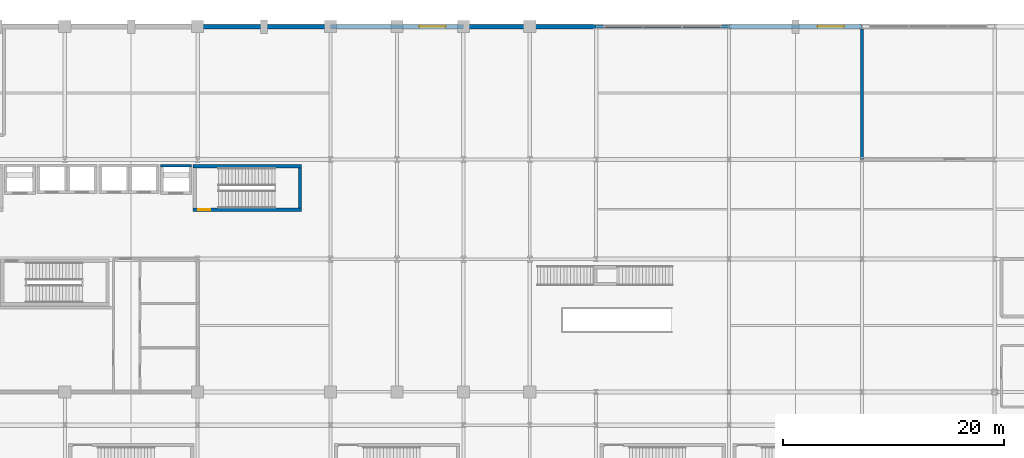
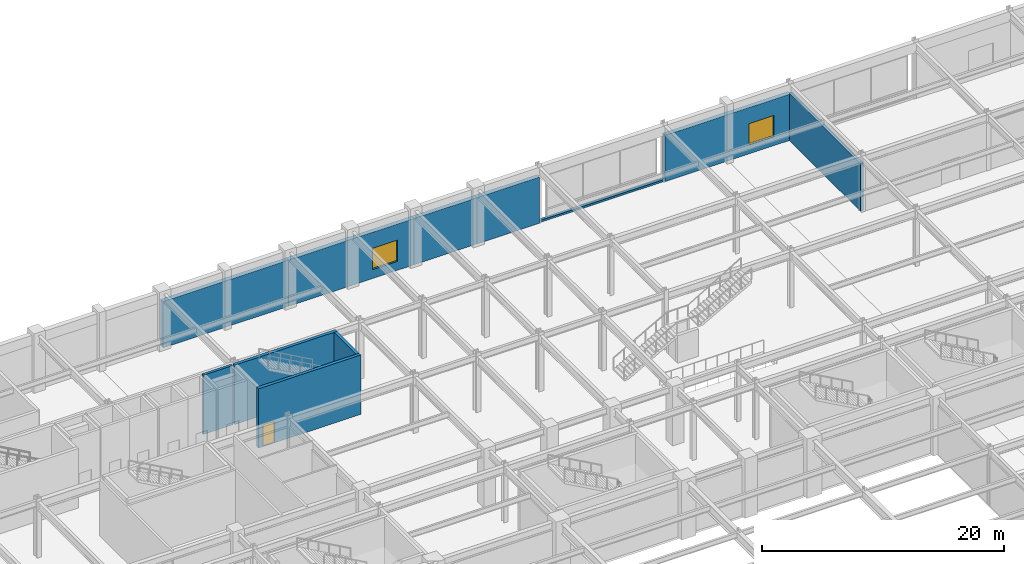
# One storey, part 89 of 105: 11 walls, 2 windows, 1 door, 3 openings.
"""IFC4 building model written with IfcOpenShell, lengths in metres."""

from ifc_helpers import new_model, si_unit, direction, frame, frame_2d, origin, place, context, subcontext, project, spatial, rectangle, extrude, material, layer, layer_set, type_object, element, fill, save


model = new_model("IFC4")

# Units and contexts
model_context = context("Model", 3, precision=1e-05, world=origin(), true_north=direction((0.0, 1.0)))
body_context = subcontext(model_context, "Body", "Model", "MODEL_VIEW")
ifc_project = project(units=[si_unit("LENGTHUNIT", "METRE"), si_unit("AREAUNIT", "SQUARE_METRE"), si_unit("VOLUMEUNIT", "CUBIC_METRE"), si_unit("PLANEANGLEUNIT", "RADIAN"), si_unit("MASSUNIT", "GRAM", prefix="KILO")], contexts=[model_context])

# Site, building, storey
site_placement = place(None, origin())
site = spatial("IfcSite", under=ifc_project, at=site_placement, CompositionType="ELEMENT")
building_placement = place(site_placement, origin())
building = spatial("IfcBuilding", under=site, at=building_placement, Name="Kaldorvane Square Convention Centre", CompositionType="ELEMENT")
storey_placement = place(building_placement, frame((0.0, 0.0, 6.0)))
storey = spatial("IfcBuildingStorey", under=building, at=storey_placement, Name="L01", CompositionType="ELEMENT", Elevation=6.0)

# Walls
ifc_material_1 = material(Name="Reinforced Concrete Masonry Acoustic Partition", Category="masonry")
ifc_layer_1 = layer(ifc_material_1, 0.279998779296875)
ifc_layer_set_1 = layer_set([ifc_layer_1], Name="Reinforced Concrete Masonry Acoustic Partition")
wall_type_1 = type_object("IfcWallType", Name="WL-ACO-280", PredefinedType="PARTITIONING", material=ifc_layer_set_1)
wall_1_placement = place(storey_placement, frame((126.0, 116.79499816894531, 0.0), z_axis=(0.0, 0.0, 1.0), x_axis=(0.0, -1.0, 0.0)))
element("IfcWall", 1, at=wall_1_placement, inside=storey, type_object=wall_type_1, Name="Meeting Room 106 W Wall", PredefinedType="PARTITIONING", context=body_context, shape_type="SweptSolid", body=[
    extrude(rectangle(XDim=11.794998168945312, YDim=0.279998779296875, at=frame_2d((5.897491455078125, 0.0))), origin(), (0.0, 0.0, 1.0), 4.8300018310546875),
])
ifc_material_2 = material(Name="Concrete f'c = 42 MPa (Normalweight)", Category="concrete")
ifc_layer_2 = layer(ifc_material_2, 0.410003662109375)
ifc_layer_set_2 = layer_set([ifc_layer_2], Name="Concrete f'c = 42 MPa (Normalweight)")
wall_type_2 = type_object("IfcWallType", Name="WL-EXT-410", PredefinedType="STANDARD", material=ifc_layer_set_2)
wall_2_placement = place(storey_placement, frame((78.0, 117.0, 0.0), z_axis=(0.0, 0.0, 1.0), x_axis=(-1.0, 0.0, 0.0)))
element("IfcWall", 2, at=wall_2_placement, inside=storey, type_object=wall_type_2, Name="North Square Brutalist Facade Wall (L01)", PredefinedType="STANDARD", context=body_context, shape_type="SweptSolid", body=[
    extrude(rectangle(XDim=12.0, YDim=0.410003662109375, at=frame_2d((6.0, 0.0))), origin(), (0.0, 0.0, 1.0), 4.675994873046875),
])

# Wall, opening, window
wall_3_placement = place(storey_placement, frame((90.0, 117.0, 0.0), z_axis=(0.0, 0.0, 1.0), x_axis=(-1.0, 0.0, 0.0)))
wall_3 = element("IfcWall", 3, at=wall_3_placement, inside=storey, type_object=wall_type_2, Name="North Square Brutalist Facade Wall (L01)", PredefinedType="STANDARD", context=body_context, shape_type="SweptSolid", body=[
    extrude(rectangle(XDim=12.0, YDim=0.410003662109375, at=frame_2d((6.0, 0.0))), origin(), (0.0, 0.0, 1.0), 4.675994873046875),
])
opening_1_placement = place(wall_3_placement, frame((1.600006103515625, 0.0, 0.899993896484375)))
opening_1 = element("IfcOpeningElement", 4, at=opening_1_placement, cuts=wall_3, Name="Opening W-19", PredefinedType="OPENING", context=body_context, shape_type="SweptSolid", body=[
    extrude(rectangle(XDim=2.399993896484375, YDim=2.149993896484375, at=frame_2d((1.1999969482421875, 1.0749969482421875))), frame((0.0, 0.220001220703125, 0.0), z_axis=(0.0, -1.0, 0.0), x_axis=(1.0, 0.0, 0.0)), (0.0, 0.0, 1.0), 0.44000244140625),
])
ifc_material_3 = material(Name="Anodized Aluminum and Low-E Insulated Glazing", Category="aluminium")
window_type = type_object("IfcWindowType", Name="WN-POD-2400X2150", PartitioningType="DOUBLE_PANEL_VERTICAL", PredefinedType="WINDOW", material=ifc_material_3)
window_1_placement = place(opening_1_placement, origin())
window_1 = element("IfcWindow", 5, at=window_1_placement, inside=storey, type_object=window_type, Name="North Facade Window (L01)", OverallHeight=2.149993896484375, OverallWidth=2.399993896484375, PartitioningType="DOUBLE_PANEL_VERTICAL", PredefinedType="WINDOW", context=body_context, shape_type="SweptSolid", body=[
    extrude(rectangle(XDim=2.399993896484375, YDim=2.149993896484375, at=frame_2d((1.1999969482421875, 1.0749969482421875))), frame((0.0, 0.029998779296875, 0.0), z_axis=(0.0, -1.0, 0.0), x_axis=(1.0, 0.0, 0.0)), (0.0, 0.0, 1.0), 0.05999755859375),
])
fill(opening_1, window_1)

# Walls
for number, where, z_axis, x_axis, name in (
    (6, (96.0, 117.0, 0.0), (0.0, 0.0, 1.0), (-1.0, 0.0, 0.0), "North Square Brutalist Facade Wall (L01)"),
    (7, (102.0, 117.0, 0.0), (0.0, 0.0, 1.0), (-1.0, 0.0, 0.0), "North Square Brutalist Facade Wall (L01)"),
):
    element("IfcWall", number, at=place(storey_placement, frame(where, z_axis=z_axis, x_axis=x_axis)), inside=storey, type_object=wall_type_2, Name=name, PredefinedType="STANDARD", context=body_context, shape_type="SweptSolid", body=[
        extrude(rectangle(XDim=6.0, YDim=0.410003662109375, at=frame_2d((3.0, 0.0))), origin(), (0.0, 0.0, 1.0), 4.675994873046875),
    ])

# Wall, opening, window
wall_4_placement = place(storey_placement, frame((126.0, 117.0, 0.0), z_axis=(0.0, 0.0, 1.0), x_axis=(-1.0, 0.0, 0.0)))
wall_4 = element("IfcWall", 8, at=wall_4_placement, inside=storey, type_object=wall_type_2, Name="North Square Brutalist Facade Wall (L01)", PredefinedType="STANDARD", context=body_context, shape_type="SweptSolid", body=[
    extrude(rectangle(XDim=12.0, YDim=0.410003662109375, at=frame_2d((6.0, 0.0))), origin(), (0.0, 0.0, 1.0), 4.675994873046875),
])
opening_2_placement = place(wall_4_placement, frame((1.600006103515625, 0.0, 0.899993896484375)))
opening_2 = element("IfcOpeningElement", 9, at=opening_2_placement, cuts=wall_4, Name="Opening W-19", PredefinedType="OPENING", context=body_context, shape_type="SweptSolid", body=[
    extrude(rectangle(XDim=2.399993896484375, YDim=2.149993896484375, at=frame_2d((1.1999969482421875, 1.0749969482421875))), frame((0.0, 0.220001220703125, 0.0), z_axis=(0.0, -1.0, 0.0), x_axis=(1.0, 0.0, 0.0)), (0.0, 0.0, 1.0), 0.44000244140625),
])
window_2_placement = place(opening_2_placement, origin())
window_2 = element("IfcWindow", 10, at=window_2_placement, inside=storey, type_object=window_type, Name="North Facade Window (L01)", OverallHeight=2.149993896484375, OverallWidth=2.399993896484375, PartitioningType="DOUBLE_PANEL_VERTICAL", PredefinedType="WINDOW", context=body_context, shape_type="SweptSolid", body=[
    extrude(rectangle(XDim=2.399993896484375, YDim=2.149993896484375, at=frame_2d((1.1999969482421875, 1.0749969482421875))), frame((0.0, 0.029998779296875, 0.0), z_axis=(0.0, -1.0, 0.0), x_axis=(1.0, 0.0, 0.0)), (0.0, 0.0, 1.0), 0.05999755859375),
])
fill(opening_2, window_2)

# Wall
ifc_material_4 = material(Name="Concrete f'c = 35 MPa (Normalweight)", Category="concrete")
ifc_layer_3 = layer(ifc_material_4, 0.279998779296875)
ifc_layer_set_3 = layer_set([ifc_layer_3], Name="Concrete f'c = 35 MPa (Normalweight)")
wall_type_3 = type_object("IfcWallType", Name="WL-PAR-280", PredefinedType="PARAPET", material=ifc_layer_set_3)
wall_5_placement = place(storey_placement, frame((114.0, 117.0, 0.0), z_axis=(0.0, 0.0, 1.0), x_axis=(-1.0, 0.0, 0.0)))
element("IfcWall", 11, at=wall_5_placement, inside=storey, type_object=wall_type_3, Name="North Curtain-Wall Sill Kerb (L01)", PredefinedType="PARAPET", context=body_context, shape_type="SweptSolid", body=[
    extrude(rectangle(XDim=12.0, YDim=0.279998779296875, at=frame_2d((6.0, 0.0))), origin(), (0.0, 0.0, 1.0), 0.1999969482421875),
])

# Wall, opening, door
ifc_material_5 = material(Name="Concrete f'c = 55 MPa (Normalweight)", Category="concrete")
ifc_layer_4 = layer(ifc_material_5, 0.3000030517578125)
ifc_layer_set_4 = layer_set([ifc_layer_4], Name="Concrete f'c = 55 MPa (Normalweight)")
wall_type_4 = type_object("IfcWallType", Name="WL-SHAFT-300", PredefinedType="SHEAR", material=ifc_layer_set_4)
wall_6_placement = place(storey_placement, frame((65.60000610351562, 100.46000671386719, 0.0), z_axis=(0.0, 0.0, 1.0), x_axis=(1.0, 0.0, 0.0)))
wall_6 = element("IfcWall", 12, at=wall_6_placement, inside=storey, type_object=wall_type_4, Name="Core Enclosure Wall stair:ST-T2-S (L01)", PredefinedType="SHEAR", context=body_context, shape_type="SweptSolid", body=[
    extrude(rectangle(XDim=9.79998779296875, YDim=0.3000030517578125, at=frame_2d((4.899993896484375, 0.0))), origin(), (0.0, 0.0, 1.0), 6.0),
])
opening_3_placement = place(wall_6_placement, frame((0.4499969482421875, 0.0, 0.0)))
opening_3 = element("IfcOpeningElement", 13, at=opening_3_placement, cuts=wall_6, Name="Opening FD90-S1", PredefinedType="OPENING", context=body_context, shape_type="SweptSolid", body=[
    extrude(rectangle(XDim=1.100006103515625, YDim=2.1999969482421875, at=frame_2d((0.5500030517578125, 1.100006103515625))), frame((0.0, 0.165008544921875, 0.0), z_axis=(0.0, -1.0, 0.0), x_axis=(1.0, 0.0, 0.0)), (0.0, 0.0, 1.0), 0.3300018310546875),
])
ifc_material_6 = material(Name="Fire-Rated Hollow Metal Steel", Category="steel")
door_type = type_object("IfcDoorType", Name="DR-STAIR-1100", OperationType="SINGLE_SWING_RIGHT", PredefinedType="DOOR", material=ifc_material_6)
door_placement = place(opening_3_placement, origin())
door = element("IfcDoor", 14, at=door_placement, inside=storey, type_object=door_type, Name="Tower Exit Stair T2 Fire Door (L01)", OperationType="SINGLE_SWING_RIGHT", OverallHeight=2.1999969482421875, OverallWidth=1.100006103515625, PredefinedType="DOOR", context=body_context, shape_type="SweptSolid", body=[
    extrude(rectangle(XDim=1.100006103515625, YDim=2.1999969482421875, at=frame_2d((0.5500030517578125, 1.100006103515625))), frame((0.0, 0.024993896484375, 0.0), z_axis=(0.0, -1.0, 0.0), x_axis=(1.0, 0.0, 0.0)), (0.0, 0.0, 1.0), 0.0500030517578125),
])
fill(opening_3, door)

# Walls
wall_7_placement = place(storey_placement, frame((75.39999389648438, 104.39999389648438, 0.0), z_axis=(0.0, 0.0, 1.0), x_axis=(-1.0, 0.0, 0.0)))
element("IfcWall", 15, at=wall_7_placement, inside=storey, type_object=wall_type_4, Name="Core Enclosure Wall stair:ST-T2-N (L01)", PredefinedType="SHEAR", context=body_context, shape_type="SweptSolid", body=[
    extrude(rectangle(XDim=9.79998779296875, YDim=0.3000030517578125, at=frame_2d((4.899993896484375, 0.0))), origin(), (0.0, 0.0, 1.0), 6.0),
])
wall_8_placement = place(storey_placement, frame((75.25, 100.61000061035156, 0.0), z_axis=(0.0, 0.0, 1.0), x_axis=(0.0, 1.0, 0.0)))
element("IfcWall", 16, at=wall_8_placement, inside=storey, type_object=wall_type_4, Name="Core Enclosure Wall stair:ST-T2-E (L01)", PredefinedType="SHEAR", context=body_context, shape_type="SweptSolid", body=[
    extrude(rectangle(XDim=3.6399993896484375, YDim=0.3000030517578125, at=frame_2d((1.82000732421875, 0.0))), origin(), (0.0, 0.0, 1.0), 6.0),
])
wall_9_placement = place(storey_placement, frame((65.44999694824219, 104.42500305175781, 0.0), z_axis=(0.0, 0.0, 1.0), x_axis=(-1.0, 0.0, 0.0)))
element("IfcWall", 17, at=wall_9_placement, inside=storey, type_object=wall_type_4, Name="Core Enclosure Wall lift:FSAE-02-N (L01)", PredefinedType="SHEAR", context=body_context, shape_type="SweptSolid", body=[
    extrude(rectangle(XDim=2.8000030517578125, YDim=0.25, at=frame_2d((1.399993896484375, 0.0))), origin(), (0.0, 0.0, 1.0), 6.0),
])

save(model, "model.ifc")
